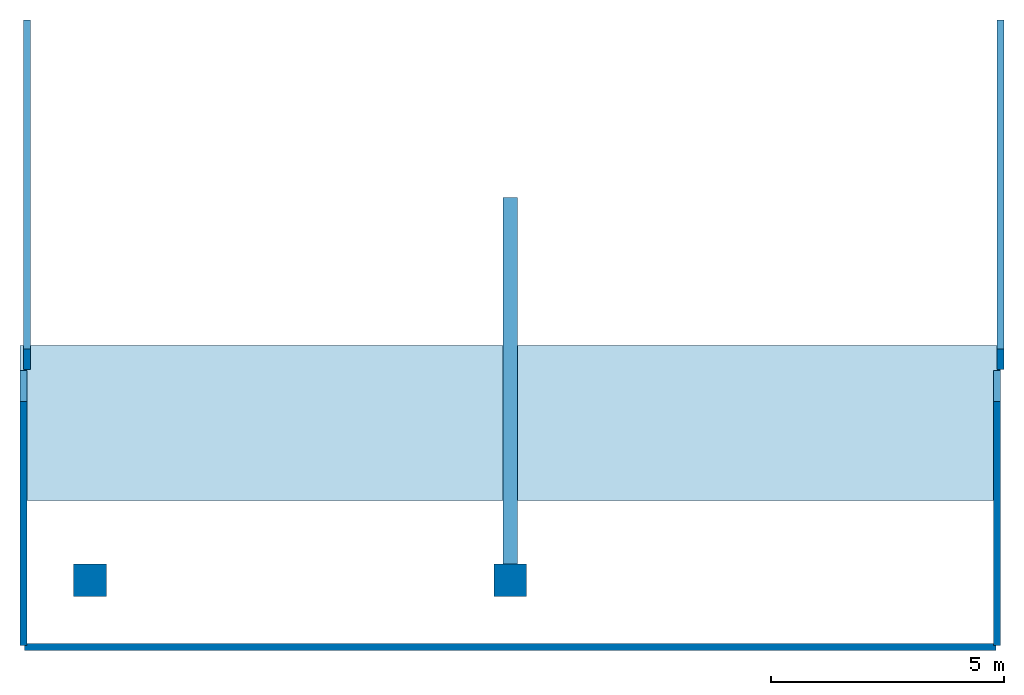
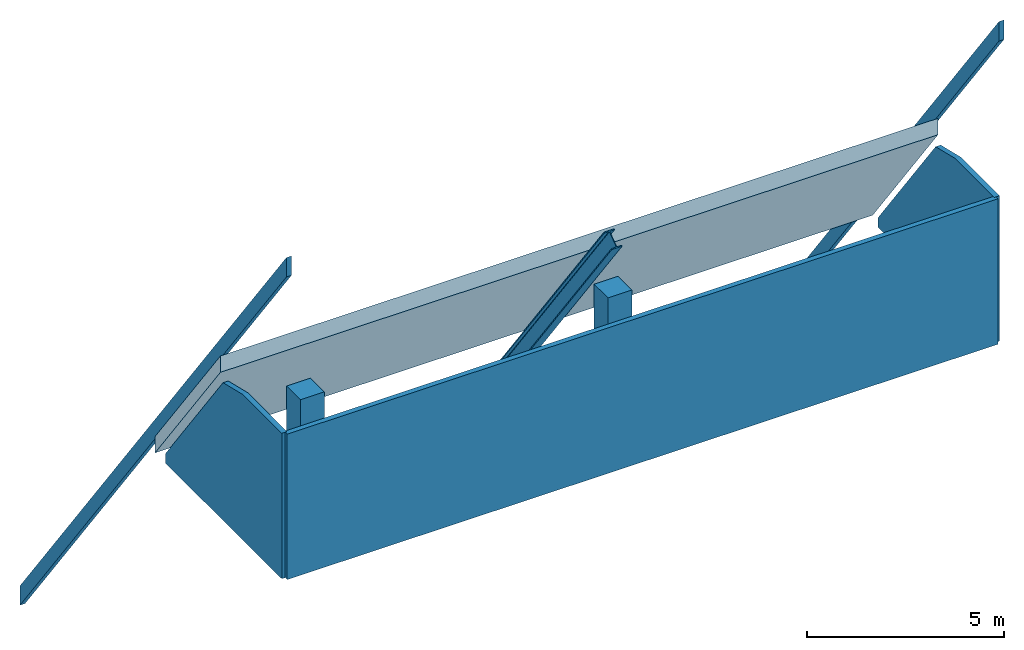
# One storey: 5 walls, 2 columns, 1 beam, 1 slab.
"""IFC4 building model written with IfcOpenShell, lengths in metres."""

import ifcopenshell
import ifcopenshell.guid

model = None  # the IFC model being written
_history = None  # IfcOwnerHistory: only IFC2X3 demands one
_inside = {}  # id of a spatial element -> (the spatial element, [elements in it])
_under = {}  # id of a project, library or spatial element -> (it, [spatial elements below it])
_declared = {}  # id of a project -> (the project, [libraries it declares])
_typed = {}  # id of a type object -> (the type object, [elements of that type])
_made_of = {}  # id of a material, layer set ... -> (it, [elements and type objects made of it])


def new_model(schema):
    """Start an empty IFC model of exactly this schema.

    Asked for "IFC4X3", IfcOpenShell would pick the latest addendum, in which some entities
    have other attributes; the version numbers below select the first issue.
    IFC2X3 requires an IfcOwnerHistory on every rooted entity: one is made here for all.
    """
    global model, _history
    if schema == "IFC4X3":
        model = ifcopenshell.file(schema_version=(4, 3, 0, 0))
    else:
        model = ifcopenshell.file(schema=schema)
    _inside.clear()
    _under.clear()
    _declared.clear()
    _typed.clear()
    _made_of.clear()
    _history = None
    if model.schema == "IFC2X3":
        org = make("IfcOrganization", Name="unknown")
        user = make(
            "IfcPersonAndOrganization",
            ThePerson=make("IfcPerson", FamilyName="unknown"),
            TheOrganization=org,
        )
        app = make(
            "IfcApplication",
            ApplicationDeveloper=org,
            Version="unknown",
            ApplicationFullName="unknown",
            ApplicationIdentifier="unknown",
        )
        _history = make(
            "IfcOwnerHistory",
            OwningUser=user,
            OwningApplication=app,
            ChangeAction="ADDED",
            CreationDate=0,
        )
    return model


def make(cls, **values):
    """One entity of the class cls with the attributes given. An attribute that is None is left unset."""
    return model.create_entity(
        cls, **{name: value for name, value in values.items() if value is not None}
    )


def rooted(cls, **values):
    """An entity with a GlobalId (a new one), such as an element, a storey or a relation."""
    return make(cls, GlobalId=ifcopenshell.guid.new(), OwnerHistory=_history, **values)


def si_unit(unit_type, name, prefix=None):
    """IfcSIUnit, for example si_unit("LENGTHUNIT", "METRE", prefix="MILLI")."""
    return make("IfcSIUnit", UnitType=unit_type, Prefix=prefix, Name=name)


def assignment(units):
    """IfcUnitAssignment: the units of a project."""
    return None if units is None else make("IfcUnitAssignment", Units=units)


def point(xyz):
    """IfcCartesianPoint."""
    return None if xyz is None else make("IfcCartesianPoint", Coordinates=xyz)


def direction(xyz):
    """IfcDirection."""
    return None if xyz is None else make("IfcDirection", DirectionRatios=xyz)


def frame(location, z_axis=None, x_axis=None):
    """IfcAxis2Placement3D, a coordinate frame: its origin and axes. An axis left out is left unset."""
    return make(
        "IfcAxis2Placement3D",
        Location=point(location),
        Axis=direction(z_axis),
        RefDirection=direction(x_axis),
    )


def frame_2d(location, x_axis=None):
    """IfcAxis2Placement2D, a coordinate frame in the plane: its origin and x axis."""
    return make(
        "IfcAxis2Placement2D", Location=point(location), RefDirection=direction(x_axis)
    )


def origin():
    """The frame at (0, 0, 0) with its axes left unset."""
    return frame((0.0, 0.0, 0.0))


def origin_2d():
    """The frame at (0, 0) in the plane with its x axis left unset."""
    return frame_2d((0.0, 0.0))


def place(relative_to, where):
    """IfcLocalPlacement: puts the frame where relative to a parent placement (None: the world)."""
    return make(
        "IfcLocalPlacement", PlacementRelTo=relative_to, RelativePlacement=where
    )


def context(
    kind, dimensions, precision=None, world=None, true_north=None, identifier=None
):
    """IfcGeometricRepresentationContext, for example the 3D "Model" context."""
    return make(
        "IfcGeometricRepresentationContext",
        ContextIdentifier=identifier,
        ContextType=kind,
        CoordinateSpaceDimension=dimensions,
        Precision=precision,
        WorldCoordinateSystem=world,
        TrueNorth=true_north,
    )


def subcontext(parent, identifier, kind, view, scale=None):
    """IfcGeometricRepresentationSubContext, for example "Body" below "Model"."""
    return make(
        "IfcGeometricRepresentationSubContext",
        ContextIdentifier=identifier,
        ContextType=kind,
        ParentContext=parent,
        TargetScale=scale,
        TargetView=view,
    )


def project(units=None, contexts=None):
    """IfcProject with its units and contexts."""
    return rooted(
        "IfcProject",
        Name="project",
        RepresentationContexts=contexts,
        UnitsInContext=assignment(units),
    )


def spatial(cls, under=None, at=None, **own):
    """A site, building, storey or space (cls), placed at a placement, below another one or the project."""
    s = rooted(cls, ObjectPlacement=at, **own)
    if under is not None:
        _under.setdefault(under.id(), (under, []))[1].append(s)
    return s


def polyline(points):
    """IfcPolyline through the points."""
    return make("IfcPolyline", Points=[point(p) for p in points])


def profile(cls, at=None, kind="AREA", **sizes):
    """A parametric profile (cls). Its sizes go by their IFC names, for example OverallWidth=200.0."""
    return make(cls, ProfileType=kind, Position=at, **sizes)


def rectangle(**sizes):
    """IfcRectangleProfileDef."""
    return profile("IfcRectangleProfileDef", **sizes)


def i_section(**sizes):
    """IfcIShapeProfileDef."""
    return profile("IfcIShapeProfileDef", **sizes)


def outline(outer, holes=None, kind="AREA"):
    """IfcArbitraryClosedProfileDef: a profile drawn as a closed curve; with holes, ...WithVoids."""
    if holes is None:
        return make("IfcArbitraryClosedProfileDef", ProfileType=kind, OuterCurve=outer)
    return make(
        "IfcArbitraryProfileDefWithVoids",
        ProfileType=kind,
        OuterCurve=outer,
        InnerCurves=holes,
    )


def extrude(swept, where, along, depth):
    """IfcExtrudedAreaSolid: the profile swept, set in the frame where, extruded along a direction by depth."""
    return make(
        "IfcExtrudedAreaSolid",
        SweptArea=swept,
        Position=where,
        ExtrudedDirection=direction(along),
        Depth=depth,
    )


def shape(context_of_items, identifier, shape_type, items):
    """IfcShapeRepresentation: the items that make up one representation, for example the "Body"."""
    return make(
        "IfcShapeRepresentation",
        ContextOfItems=context_of_items,
        RepresentationIdentifier=identifier,
        RepresentationType=shape_type,
        Items=items,
    )


def material(Name=None, Category=None):
    """IfcMaterial."""
    return make("IfcMaterial", Name=Name, Category=Category)


def layer(
    of_material, thickness, ventilated=None, Name=None, Category=None, Priority=None
):
    """IfcMaterialLayer: one layer of a wall or slab, of a material (None: an air gap)."""
    return make(
        "IfcMaterialLayer",
        Material=of_material,
        LayerThickness=thickness,
        IsVentilated=ventilated,
        Name=Name,
        Category=Category,
        Priority=Priority,
    )


def layer_set(layers, Name=None):
    """IfcMaterialLayerSet."""
    return make("IfcMaterialLayerSet", MaterialLayers=layers, LayerSetName=Name)


def material_profile(
    of_material, cross_section, Name=None, Category=None, Priority=None
):
    """IfcMaterialProfile: a cross section and its material."""
    return make(
        "IfcMaterialProfile",
        Name=Name,
        Material=of_material,
        Profile=cross_section,
        Priority=Priority,
        Category=Category,
    )


def profile_set(profiles, Name=None, composite=None):
    """IfcMaterialProfileSet."""
    return make(
        "IfcMaterialProfileSet",
        Name=Name,
        MaterialProfiles=profiles,
        CompositeProfile=composite,
    )


def made_of(thing, what):
    """Note that an element or type object is made of a material, layer set ...; save() writes the relation."""
    if what is not None:
        _made_of.setdefault(what.id(), (what, []))[1].append(thing)
    return thing


def type_object(cls, material=None, **own):
    """A type object (cls), such as IfcWallType, which elements share."""
    return made_of(rooted(cls, **own), material)


def element(
    cls,
    number,
    at=None,
    inside=None,
    cuts=None,
    type_object=None,
    material=None,
    context=None,
    identifier="Body",
    shape_type=None,
    held_by="IfcProductDefinitionShape",
    body=None,
    shapes=None,
    **own,
):
    """One element of the class cls, such as IfcWall. Its Tag is "e" and its number.

    at: its placement. inside: the storey or other place that contains it. cuts: it is an
    opening in that element (IfcRelVoidsElement). A single representation is given by context,
    identifier, shape_type and body (its items); several are given by shapes. held_by: the class
    of the entity that holds the representations. save() writes the other relations.
    """
    e = rooted(cls, Tag="e%d" % number, ObjectPlacement=at, **own)
    if body is not None:
        shapes = [shape(context, identifier, shape_type, body)]
    if shapes is not None:
        e.Representation = make(held_by, Representations=shapes)
    if inside is not None:
        _inside.setdefault(inside.id(), (inside, []))[1].append(e)
    if cuts is not None:
        rooted(
            "IfcRelVoidsElement", RelatingBuildingElement=cuts, RelatedOpeningElement=e
        )
    if type_object is not None:
        _typed.setdefault(type_object.id(), (type_object, []))[1].append(e)
    return made_of(e, material)


def aggregate(whole, parts):
    """IfcRelAggregates: a whole, such as a stair, and the parts it consists of."""
    return rooted("IfcRelAggregates", RelatingObject=whole, RelatedObjects=parts)


def save(model, path):
    """Write the relations noted so far, then the file.

    IfcRelAggregates (storeys below a building ...), IfcRelContainedInSpatialStructure (elements
    in a storey), IfcRelDefinesByType, IfcRelAssociatesMaterial and IfcRelDeclares: one each for
    every whole, place, type object, material and project.
    """
    for whole, parts in _under.values():
        aggregate(whole, parts)
    for where, things in _inside.values():
        rooted(
            "IfcRelContainedInSpatialStructure",
            RelatedElements=things,
            RelatingStructure=where,
        )
    for kind, things in _typed.values():
        rooted("IfcRelDefinesByType", RelatedObjects=things, RelatingType=kind)
    for what, things in _made_of.values():
        rooted("IfcRelAssociatesMaterial", RelatedObjects=things, RelatingMaterial=what)
    for by, libraries in _declared.values():
        rooted("IfcRelDeclares", RelatingContext=by, RelatedDefinitions=libraries)
    model.write(path)


model = new_model("IFC4")

# Units and contexts
model_context = context("Model", 3, precision=1e-05, world=origin(), true_north=direction((0.0, 1.0)))
body_context = subcontext(model_context, "Body", "Model", "MODEL_VIEW")
ifc_project = project(units=[si_unit("LENGTHUNIT", "METRE"), si_unit("AREAUNIT", "SQUARE_METRE"), si_unit("VOLUMEUNIT", "CUBIC_METRE"), si_unit("PLANEANGLEUNIT", "RADIAN"), si_unit("MASSUNIT", "GRAM", prefix="KILO")], contexts=[model_context])

# Site, building, storey
site_placement = place(None, origin())
site = spatial("IfcSite", under=ifc_project, at=site_placement, CompositionType="ELEMENT")
building_placement = place(site_placement, origin())
building = spatial("IfcBuilding", under=site, at=building_placement, Name="Chenar Terraces", CompositionType="ELEMENT")
storey_placement = place(building_placement, frame((0.0, 0.0, 402.39990234375)))
storey = spatial("IfcBuildingStorey", under=building, at=storey_placement, Name="L94", CompositionType="ELEMENT", Elevation=402.39990234375)

# Columns
ifc_material_1 = material(Name="Concrete C40/50", Category="concrete")
ifc_material_profile_1 = material_profile(ifc_material_1, rectangle(XDim=0.699951171875, YDim=0.699951171875, at=origin_2d()), Name="C 700 x 700")
ifc_profile_set_1 = profile_set([ifc_material_profile_1], Name="Concrete C40/50")
column_type = type_object("IfcColumnType", Name="Column C 700 x 700 Concrete C40/50", PredefinedType="COLUMN", material=ifc_profile_set_1)
for number, where, z_axis, x_axis, name in (
    (1, (36.0, 0.0, 0.0), (0.0, 0.0, 1.0), (1.0, 0.0, 0.0), "Column 8/E L94"),
    (2, (45.0, 0.0, 0.0), (0.0, 0.0, 1.0), (1.0, 0.0, 0.0), "Column 9/E L94"),
):
    element("IfcColumn", number, at=place(storey_placement, frame(where, z_axis=z_axis, x_axis=x_axis)), inside=storey, type_object=column_type, Name=name, PredefinedType="COLUMN", context=body_context, shape_type="SweptSolid", body=[
        extrude(rectangle(XDim=0.699951171875, YDim=0.699951171875, at=origin_2d()), origin(), (0.0, 0.0, 1.0), 4.5),
    ])

# Beam
ifc_material_2 = material(Name="Structural steel S355", Category="steel")
ifc_material_profile_2 = material_profile(ifc_material_2, i_section(OverallWidth=0.300048828125, OverallDepth=0.5, WebThickness=0.014404296875, FlangeThickness=0.028076171875, FilletRadius=0.027099609375, at=origin_2d()), Name="HEB 500")
ifc_profile_set_2 = profile_set([ifc_material_profile_2], Name="Structural steel S355")
beam_type = type_object("IfcBeamType", Name="Peak roof rafter HEB 500 S355", PredefinedType="BEAM", material=ifc_profile_set_2)
beam_placement = place(storey_placement, frame((45.0, 8.0, -4.88330078125), z_axis=(0.0, -0.59286077936, 0.805304970987), x_axis=(1.0, 0.0, 0.0)))
element("IfcBeam", 3, at=beam_placement, inside=storey, type_object=beam_type, Name="Peak roof rafter A2 part 2", PredefinedType="BEAM", context=body_context, shape_type="SweptSolid", body=[
    extrude(i_section(OverallWidth=0.300048828125, OverallDepth=0.5, WebThickness=0.014404296875, FlangeThickness=0.028076171875, FilletRadius=0.027099609375, at=origin_2d()), origin(), (0.0, 0.0, 1.0), 13.493896484375),
])

# Slab
ifc_material_3 = material(Name="Terracotta roof tile on insulated deck", Category="masonry")
ifc_layer_1 = layer(ifc_material_3, 0.300048828125)
ifc_layer_set_1 = layer_set([ifc_layer_1], Name="Terracotta roof tile on insulated deck")
slab_type = type_object("IfcSlabType", Name="Terracotta roof tile 300", PredefinedType="ROOF", material=ifc_layer_set_1)
slab_placement = place(storey_placement, frame((34.5, 5.025634765625, 0.506103515625), z_axis=(0.0, 0.805316024446, 0.592845764741), x_axis=(1.0, 0.0, 0.0)))
element("IfcSlab", 4, at=slab_placement, inside=storey, type_object=slab_type, Name="Terracotta roof tile", PredefinedType="ROOF", context=body_context, shape_type="SweptSolid", body=[
    extrude(outline(polyline([(0.0, 0.0), (21.0, 0.0), (21.0, -5.587868443444716), (0.0, -5.587868443444716), (0.0, 0.0)])), origin(), (0.0, 0.805316024446, -0.592845764741), 0.506103515625),
])

# Walls
ifc_material_4 = material(Name="Terracotta cladding on insulated backing", Category="masonry")
ifc_layer_2 = layer(ifc_material_4, 0.14990234375)
ifc_layer_set_2 = layer_set([ifc_layer_2], Name="Terracotta cladding on insulated backing")
wall_type_1 = type_object("IfcWallType", Name="Crown parapet 150", PredefinedType="PARAPET", material=ifc_layer_set_2)
for number, where, z_axis, x_axis, name in (
    (5, (34.574951171875, 12.0, -8.96728515625), (-1.0, 0.0, 0.0), (0.0, -0.592858859797, 0.805306384155), "Crown parapet"),
    (6, (55.425048828125, 12.0, -8.96728515625), (-1.0, 0.0, 0.0), (0.0, -0.592858859797, 0.805306384155), "Crown parapet"),
):
    element("IfcWall", number, at=place(storey_placement, frame(where, z_axis=z_axis, x_axis=x_axis)), inside=storey, type_object=wall_type_1, Name=name, PredefinedType="PARAPET", context=body_context, shape_type="SweptSolid", body=[
        extrude(outline(polyline([(0.0, 0.0), (22.771018391497357, 0.0), (23.254084257187756, 0.3556284713186688), (0.48306586569040333, 0.3556284713186689), (0.0, 0.0)])), origin(), (0.0, 0.0, -1.0), 0.14990234375),
    ])
ifc_material_5 = material(Name="Terracotta cladding on insulated backing", Category="masonry")
ifc_layer_3 = layer(ifc_material_5, 0.14990234375)
ifc_layer_set_3 = layer_set([ifc_layer_3], Name="Terracotta cladding on insulated backing")
wall_type_2 = type_object("IfcWallType", Name="Crown terracotta wall 150", PredefinedType="SOLIDWALL", material=ifc_layer_set_3)
wall_1_placement = place(storey_placement, frame((55.425048828125, -1.39990234375, 0.0), z_axis=(0.0, 0.0, 1.0), x_axis=(0.0, 1.0, 0.0)))
element("IfcWall", 7, at=wall_1_placement, inside=storey, type_object=wall_type_2, Name="Crown terracotta wall", PredefinedType="SOLIDWALL", context=body_context, shape_type="SweptSolid", body=[
    extrude(outline(polyline([(0.0, 0.0), (5.894287109375, 0.0), (5.894287109375, 0.300048828125), (2.977783203125, 4.26220703125), (1.985107421875, 4.5), (0.0, 4.5), (0.0, 0.0)])), frame((0.0, 0.074951171875, 0.0), z_axis=(0.0, -1.0, 0.0), x_axis=(1.0, 0.0, 0.0)), (0.0, 0.0, 1.0), 0.14990234375),
])
wall_2_placement = place(storey_placement, frame((34.574951171875, 4.494384765625, 0.0), z_axis=(0.0, 0.0, 1.0), x_axis=(0.0, -1.0, 0.0)))
element("IfcWall", 8, at=wall_2_placement, inside=storey, type_object=wall_type_2, Name="Crown terracotta wall", PredefinedType="SOLIDWALL", context=body_context, shape_type="SweptSolid", body=[
    extrude(outline(polyline([(0.0, 0.0), (5.894287109375, 0.0), (5.894287109375, 4.5), (3.9091796875, 4.5), (2.91650390625, 4.26220703125), (1.924072265625, 2.9140625), (0.931396484375, 1.565185546875), (0.0, 0.300048828125), (0.0, 0.0)])), frame((0.0, 0.074951171875, 0.0), z_axis=(0.0, -1.0, 0.0), x_axis=(1.0, 0.0, 0.0)), (0.0, 0.0, 1.0), 0.14990234375),
])
wall_3_placement = place(storey_placement, frame((34.60009765625, -1.425048828125, 0.0), z_axis=(0.0, 0.0, 1.0), x_axis=(1.0, 0.0, 0.0)))
element("IfcWall", 9, at=wall_3_placement, inside=storey, type_object=wall_type_2, Name="Crown terracotta wall", PredefinedType="SOLIDWALL", context=body_context, shape_type="SweptSolid", body=[
    extrude(rectangle(XDim=20.7998046875, YDim=0.14990234375, at=frame_2d((10.39990234375, 0.0))), origin(), (0.0, 0.0, 1.0), 4.5),
])

save(model, "model.ifc")
